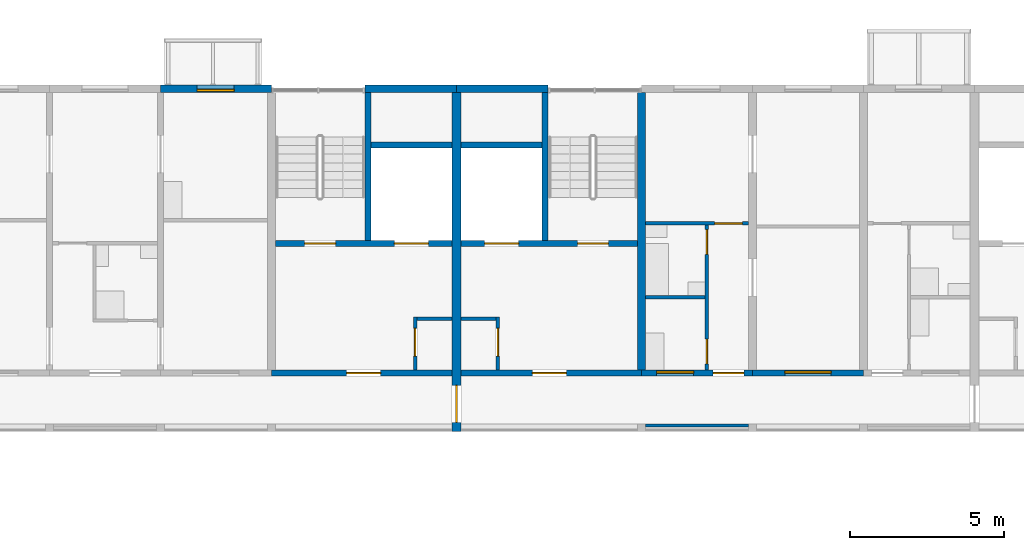
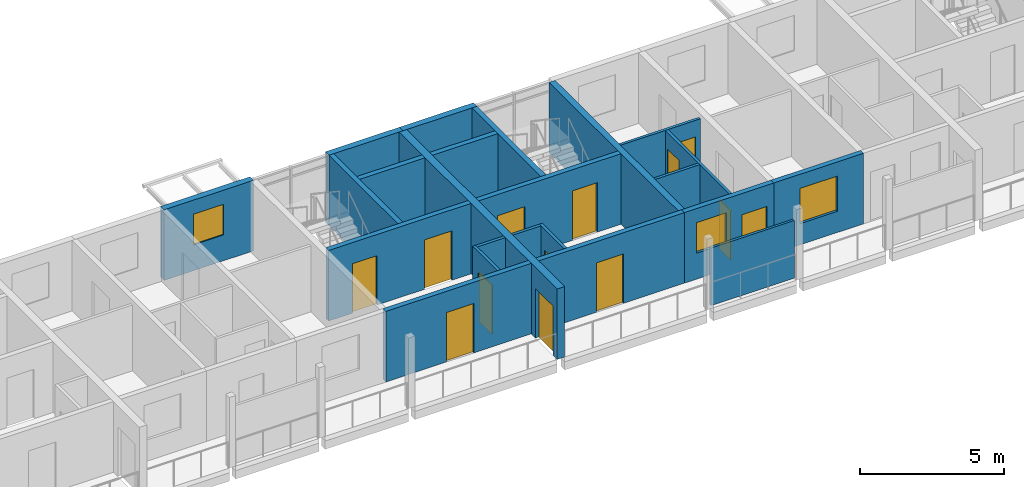
# One storey, part 68 of 115: 23 walls, 13 doors, 3 windows, 16 openings.
"""IFC4 building model written with IfcOpenShell, lengths in metres."""

from ifc_helpers import new_model, si_unit, direction, frame, frame_2d, origin, place, context, subcontext, project, spatial, rectangle, extrude, material, layer, layer_set, type_object, element, fill, save


model = new_model("IFC4")

# Units and contexts
model_context = context("Model", 3, precision=1e-05, world=origin(), true_north=direction((0.0, 1.0)))
body_context = subcontext(model_context, "Body", "Model", "MODEL_VIEW")
ifc_project = project(units=[si_unit("LENGTHUNIT", "METRE"), si_unit("AREAUNIT", "SQUARE_METRE"), si_unit("VOLUMEUNIT", "CUBIC_METRE"), si_unit("PLANEANGLEUNIT", "RADIAN"), si_unit("MASSUNIT", "GRAM", prefix="KILO")], contexts=[model_context])

# Site, building, storey
site_placement = place(None, origin())
site = spatial("IfcSite", under=ifc_project, at=site_placement, CompositionType="ELEMENT")
building_placement = place(site_placement, origin())
building = spatial("IfcBuilding", under=site, at=building_placement, Name="Ridgestep Commons", CompositionType="ELEMENT")
storey_placement = place(building_placement, frame((0.0, 0.0, 6.0)))
storey = spatial("IfcBuildingStorey", under=building, at=storey_placement, Name="L02", CompositionType="ELEMENT", Elevation=6.0)

# Wall
ifc_material_1 = material(Name="Concrete C30/37", Category="concrete")
ifc_layer_1 = layer(ifc_material_1, 0.25)
ifc_layer_set_1 = layer_set([ifc_layer_1], Name="Core cross wall 250")
wall_type_1 = type_object("IfcWallType", Name="Core cross wall 250", PredefinedType="SHEAR", material=ifc_layer_set_1)
wall_1_placement = place(storey_placement, frame((186.39990234375, 68.0, 0.0), z_axis=(0.0, 0.0, 1.0), x_axis=(0.0, 1.0, 0.0)))
element("IfcWall", 1, at=wall_1_placement, inside=storey, type_object=wall_type_1, Name="Cross wall C-02-1864", PredefinedType="SHEAR", context=body_context, shape_type="SweptSolid", body=[
    extrude(rectangle(XDim=9.0, YDim=0.25, at=frame_2d((4.5, 0.0))), origin(), (0.0, 0.0, 1.0), 3.0),
])

# Wall, opening, door
ifc_material_2 = material(Name="Concrete C30/37", Category="concrete")
ifc_layer_2 = layer(ifc_material_2, 0.199951171875)
ifc_layer_set_2 = layer_set([ifc_layer_2], Name="Core south wall 200")
wall_type_2 = type_object("IfcWallType", Name="Core south wall 200", PredefinedType="SHEAR", material=ifc_layer_set_2)
wall_2_placement = place(storey_placement, frame((174.39990234375, 67.89990234375, 0.0), z_axis=(0.0, 0.0, 1.0), x_axis=(1.0, 0.0, 0.0)))
wall_2 = element("IfcWall", 2, at=wall_2_placement, inside=storey, type_object=wall_type_2, Name="Core south wall C2C L02", PredefinedType="SHEAR", context=body_context, shape_type="SweptSolid", body=[
    extrude(rectangle(XDim=5.85009765625, YDim=0.199951171875, at=frame_2d((2.925048828125, 0.0))), origin(), (0.0, 0.0, 1.0), 3.0),
])
opening_1_placement = place(wall_2_placement, frame((2.4375, 0.0, 0.0)))
opening_1 = element("IfcOpeningElement", 3, at=opening_1_placement, cuts=wall_2, Name="Opening C2C/02/1", PredefinedType="OPENING", context=body_context, shape_type="SweptSolid", body=[
    extrude(rectangle(XDim=1.10009765625, YDim=2.10009765625, at=frame_2d((0.550048828125, 1.050048828125))), frame((0.0, 0.10986328125, 0.0), z_axis=(0.0, -1.0, 0.0), x_axis=(1.0, 0.0, 0.0)), (0.0, 0.0, 1.0), 0.219970703125),
])
ifc_material_3 = material(Name="Steel fire door", Category="steel")
door_type_1 = type_object("IfcDoorType", Name="Lobby door 1100 x 2100 FD60", OperationType="NOTDEFINED", PredefinedType="DOOR", material=ifc_material_3)
door_1_placement = place(opening_1_placement, origin())
door_1 = element("IfcDoor", 4, at=door_1_placement, inside=storey, type_object=door_type_1, Name="Lobby door C2C/02/1", OperationType="SINGLE_SWING_LEFT", OverallHeight=2.10009765625, OverallWidth=1.10009765625, PredefinedType="DOOR", context=body_context, shape_type="SweptSolid", body=[
    extrude(rectangle(XDim=1.10009765625, YDim=2.10009765625, at=frame_2d((0.550048828125, 1.050048828125))), frame((0.0, 0.02490234375, 0.0), z_axis=(0.0, -1.0, 0.0), x_axis=(1.0, 0.0, 0.0)), (0.0, 0.0, 1.0), 0.050048828125),
])
fill(opening_1, door_1)

wall_3_placement = place(storey_placement, frame((180.550048828125, 67.89990234375, 0.0), z_axis=(0.0, 0.0, 1.0), x_axis=(1.0, 0.0, 0.0)))
wall_3 = element("IfcWall", 5, at=wall_3_placement, inside=storey, type_object=wall_type_2, Name="Core south wall C3C L02", PredefinedType="SHEAR", context=body_context, shape_type="SweptSolid", body=[
    extrude(rectangle(XDim=5.849853515625, YDim=0.199951171875, at=frame_2d((2.9248046875, 0.0))), origin(), (0.0, 0.0, 1.0), 3.0),
])
opening_2_placement = place(wall_3_placement, frame((2.3125, 0.0, 0.0)))
opening_2 = element("IfcOpeningElement", 6, at=opening_2_placement, cuts=wall_3, Name="Opening C3C/02/1", PredefinedType="OPENING", context=body_context, shape_type="SweptSolid", body=[
    extrude(rectangle(XDim=1.10009765625, YDim=2.10009765625, at=frame_2d((0.550048828125, 1.050048828125))), frame((0.0, 0.10986328125, 0.0), z_axis=(0.0, -1.0, 0.0), x_axis=(1.0, 0.0, 0.0)), (0.0, 0.0, 1.0), 0.219970703125),
])
door_2_placement = place(opening_2_placement, origin())
door_2 = element("IfcDoor", 7, at=door_2_placement, inside=storey, type_object=door_type_1, Name="Lobby door C3C/02/1", OperationType="SINGLE_SWING_LEFT", OverallHeight=2.10009765625, OverallWidth=1.10009765625, PredefinedType="DOOR", context=body_context, shape_type="SweptSolid", body=[
    extrude(rectangle(XDim=1.10009765625, YDim=2.10009765625, at=frame_2d((0.550048828125, 1.050048828125))), frame((0.0, 0.02490234375, 0.0), z_axis=(0.0, -1.0, 0.0), x_axis=(1.0, 0.0, 0.0)), (0.0, 0.0, 1.0), 0.050048828125),
])
fill(opening_2, door_2)

ifc_material_4 = material(Name="Concrete C30/37", Category="concrete")
ifc_layer_3 = layer(ifc_material_4, 0.1201171875)
ifc_layer_set_3 = layer_set([ifc_layer_3], Name="Core wall 120")
wall_type_3 = type_object("IfcWallType", Name="Core wall 120", PredefinedType="SHEAR", material=ifc_layer_set_3)
wall_4_placement = place(storey_placement, frame((179.06005859375, 68.0, 0.0), z_axis=(0.0, 0.0, 1.0), x_axis=(0.0, 1.0, 0.0)))
wall_4 = element("IfcWall", 8, at=wall_4_placement, inside=storey, type_object=wall_type_3, Name="Core riser w wall C2C L02", PredefinedType="SHEAR", context=body_context, shape_type="SweptSolid", body=[
    extrude(rectangle(XDim=1.719970703125, YDim=0.1201171875, at=frame_2d((0.85986328125, 0.0))), origin(), (0.0, 0.0, 1.0), 3.0),
])
opening_3_placement = place(wall_4_placement, frame((0.449951171875, 0.0, 0.0)))
opening_3 = element("IfcOpeningElement", 9, at=opening_3_placement, cuts=wall_4, Name="Opening C2C/02/4", PredefinedType="OPENING", context=body_context, shape_type="SweptSolid", body=[
    extrude(rectangle(XDim=0.89990234375, YDim=2.10009765625, at=frame_2d((0.449951171875, 1.050048828125))), frame((0.0, 0.070068359375, 0.0), z_axis=(0.0, -1.0, 0.0), x_axis=(1.0, 0.0, 0.0)), (0.0, 0.0, 1.0), 0.14013671875),
])
ifc_material_5 = material(Name="Steel fire door", Category="steel")
door_type_2 = type_object("IfcDoorType", Name="Riser door 900 x 2100 FD60", OperationType="NOTDEFINED", PredefinedType="DOOR", material=ifc_material_5)
door_3_placement = place(opening_3_placement, origin())
door_3 = element("IfcDoor", 10, at=door_3_placement, inside=storey, type_object=door_type_2, Name="Riser door C2C/02/4", OperationType="SINGLE_SWING_LEFT", OverallHeight=2.10009765625, OverallWidth=0.89990234375, PredefinedType="DOOR", context=body_context, shape_type="SweptSolid", body=[
    extrude(rectangle(XDim=0.89990234375, YDim=2.10009765625, at=frame_2d((0.449951171875, 1.050048828125))), frame((0.0, 0.02490234375, 0.0), z_axis=(0.0, -1.0, 0.0), x_axis=(1.0, 0.0, 0.0)), (0.0, 0.0, 1.0), 0.050048828125),
])
fill(opening_3, door_3)

# Wall
wall_5_placement = place(storey_placement, frame((179.1201171875, 69.659912109375, 0.0), z_axis=(0.0, 0.0, 1.0), x_axis=(1.0, 0.0, 0.0)))
element("IfcWall", 11, at=wall_5_placement, inside=storey, type_object=wall_type_3, Name="Core riser n wall C2C L02", PredefinedType="SHEAR", context=body_context, shape_type="SweptSolid", body=[
    extrude(rectangle(XDim=1.1298828125, YDim=0.1201171875, at=frame_2d((0.56494140625, 0.0))), origin(), (0.0, 0.0, 1.0), 3.0),
])

# Wall, opening, door
wall_6_placement = place(storey_placement, frame((181.739990234375, 68.0, 0.0), z_axis=(0.0, 0.0, 1.0), x_axis=(0.0, 1.0, 0.0)))
wall_6 = element("IfcWall", 12, at=wall_6_placement, inside=storey, type_object=wall_type_3, Name="Core riser w wall C3C L02", PredefinedType="SHEAR", context=body_context, shape_type="SweptSolid", body=[
    extrude(rectangle(XDim=1.719970703125, YDim=0.1201171875, at=frame_2d((0.85986328125, 0.0))), origin(), (0.0, 0.0, 1.0), 3.0),
])
opening_4_placement = place(wall_6_placement, frame((0.449951171875, 0.0, 0.0)))
opening_4 = element("IfcOpeningElement", 13, at=opening_4_placement, cuts=wall_6, Name="Opening C3C/02/4", PredefinedType="OPENING", context=body_context, shape_type="SweptSolid", body=[
    extrude(rectangle(XDim=0.89990234375, YDim=2.10009765625, at=frame_2d((0.449951171875, 1.050048828125))), frame((0.0, 0.070068359375, 0.0), z_axis=(0.0, -1.0, 0.0), x_axis=(1.0, 0.0, 0.0)), (0.0, 0.0, 1.0), 0.14013671875),
])
door_4_placement = place(opening_4_placement, origin())
door_4 = element("IfcDoor", 14, at=door_4_placement, inside=storey, type_object=door_type_2, Name="Riser door C3C/02/4", OperationType="SINGLE_SWING_RIGHT", OverallHeight=2.10009765625, OverallWidth=0.89990234375, PredefinedType="DOOR", context=body_context, shape_type="SweptSolid", body=[
    extrude(rectangle(XDim=0.89990234375, YDim=2.10009765625, at=frame_2d((0.449951171875, 1.050048828125))), frame((0.0, 0.02490234375, 0.0), z_axis=(0.0, -1.0, 0.0), x_axis=(1.0, 0.0, 0.0)), (0.0, 0.0, 1.0), 0.050048828125),
])
fill(opening_4, door_4)

# Wall
wall_7_placement = place(storey_placement, frame((180.550048828125, 69.659912109375, 0.0), z_axis=(0.0, 0.0, 1.0), x_axis=(1.0, 0.0, 0.0)))
element("IfcWall", 15, at=wall_7_placement, inside=storey, type_object=wall_type_3, Name="Core riser n wall C3C L02", PredefinedType="SHEAR", context=body_context, shape_type="SweptSolid", body=[
    extrude(rectangle(XDim=1.1298828125, YDim=0.1201171875, at=frame_2d((0.56494140625, 0.0))), origin(), (0.0, 0.0, 1.0), 3.0),
])

# Wall, openings, doors
ifc_material_6 = material(Name="Concrete C30/37", Category="concrete")
ifc_layer_4 = layer(ifc_material_6, 0.199951171875)
ifc_layer_set_4 = layer_set([ifc_layer_4], Name="Core wall 200")
wall_type_4 = type_object("IfcWallType", Name="Core wall 200", PredefinedType="SHEAR", material=ifc_layer_set_4)
wall_8_placement = place(storey_placement, frame((174.52490234375, 72.10009765625, 0.0), z_axis=(0.0, 0.0, 1.0), x_axis=(1.0, 0.0, 0.0)))
wall_8 = element("IfcWall", 16, at=wall_8_placement, inside=storey, type_object=wall_type_4, Name="Core lobby wall C2C L02", PredefinedType="SHEAR", context=body_context, shape_type="SweptSolid", body=[
    extrude(rectangle(XDim=5.72509765625, YDim=0.199951171875, at=frame_2d((2.862548828125, 0.0))), origin(), (0.0, 0.0, 1.0), 3.0),
])
opening_5_placement = place(wall_8_placement, frame((0.949951171875, 0.0, 0.0)))
opening_5 = element("IfcOpeningElement", 17, at=opening_5_placement, cuts=wall_8, Name="Opening C2C/02/2", PredefinedType="OPENING", context=body_context, shape_type="SweptSolid", body=[
    extrude(rectangle(XDim=1.0, YDim=2.10009765625, at=frame_2d((0.5, 1.050048828125))), frame((0.0, 0.10986328125, 0.0), z_axis=(0.0, -1.0, 0.0), x_axis=(1.0, 0.0, 0.0)), (0.0, 0.0, 1.0), 0.219970703125),
])
opening_6_placement = place(wall_8_placement, frame((3.862548828125, 0.0, 0.0)))
opening_6 = element("IfcOpeningElement", 18, at=opening_6_placement, cuts=wall_8, Name="Opening C2C/02/3", PredefinedType="OPENING", context=body_context, shape_type="SweptSolid", body=[
    extrude(rectangle(XDim=1.10009765625, YDim=2.10009765625, at=frame_2d((0.550048828125, 1.050048828125))), frame((0.0, 0.10986328125, 0.0), z_axis=(0.0, -1.0, 0.0), x_axis=(1.0, 0.0, 0.0)), (0.0, 0.0, 1.0), 0.219970703125),
])
ifc_material_7 = material(Name="Stainless steel", Category="steel")
door_type_3 = type_object("IfcDoorType", Name="Lift landing door 1100 x 2100 FD60", OperationType="DOUBLE_DOOR_SLIDING", PredefinedType="DOOR", material=ifc_material_7)
door_5_placement = place(opening_6_placement, origin())
door_5 = element("IfcDoor", 19, at=door_5_placement, inside=storey, type_object=door_type_3, Name="Landing door LD C2C L02", OperationType="DOUBLE_DOOR_SLIDING", OverallHeight=2.10009765625, OverallWidth=1.10009765625, PredefinedType="DOOR", context=body_context, shape_type="SweptSolid", body=[
    extrude(rectangle(XDim=1.10009765625, YDim=2.10009765625, at=frame_2d((0.550048828125, 1.050048828125))), frame((0.0, 0.02490234375, 0.0), z_axis=(0.0, -1.0, 0.0), x_axis=(1.0, 0.0, 0.0)), (0.0, 0.0, 1.0), 0.050048828125),
])
fill(opening_6, door_5)
ifc_material_8 = material(Name="Steel fire door", Category="steel")
door_type_4 = type_object("IfcDoorType", Name="Stair door 1000 x 2100 FD60", OperationType="NOTDEFINED", PredefinedType="DOOR", material=ifc_material_8)
door_6_placement = place(opening_5_placement, origin())
door_6 = element("IfcDoor", 20, at=door_6_placement, inside=storey, type_object=door_type_4, Name="Stair door C2C/02/2", OperationType="SINGLE_SWING_RIGHT", OverallHeight=2.10009765625, OverallWidth=1.0, PredefinedType="DOOR", context=body_context, shape_type="SweptSolid", body=[
    extrude(rectangle(XDim=1.0, YDim=2.10009765625, at=frame_2d((0.5, 1.050048828125))), frame((0.0, 0.02490234375, 0.0), z_axis=(0.0, -1.0, 0.0), x_axis=(1.0, 0.0, 0.0)), (0.0, 0.0, 1.0), 0.050048828125),
])
fill(opening_5, door_6)

# Walls
wall_9_placement = place(storey_placement, frame((177.52490234375, 72.199951171875, 0.0), z_axis=(0.0, 0.0, 1.0), x_axis=(0.0, 1.0, 0.0)))
element("IfcWall", 21, at=wall_9_placement, inside=storey, type_object=wall_type_4, Name="Core stair wall C2C L02", PredefinedType="SHEAR", context=body_context, shape_type="SweptSolid", body=[
    extrude(rectangle(XDim=4.800048828125, YDim=0.199951171875, at=frame_2d((2.39990234375, 0.0))), origin(), (0.0, 0.0, 1.0), 3.0),
])
wall_10_placement = place(storey_placement, frame((177.625, 75.300048828125, 0.0), z_axis=(0.0, 0.0, 1.0), x_axis=(1.0, 0.0, 0.0)))
element("IfcWall", 22, at=wall_10_placement, inside=storey, type_object=wall_type_4, Name="Core duct wall C2C L02", PredefinedType="SHEAR", context=body_context, shape_type="SweptSolid", body=[
    extrude(rectangle(XDim=2.625, YDim=0.199951171875, at=frame_2d((1.3125, 0.0))), origin(), (0.0, 0.0, 1.0), 3.0),
])

# Wall, openings, doors
wall_11_placement = place(storey_placement, frame((180.550048828125, 72.10009765625, 0.0), z_axis=(0.0, 0.0, 1.0), x_axis=(1.0, 0.0, 0.0)))
wall_11 = element("IfcWall", 23, at=wall_11_placement, inside=storey, type_object=wall_type_4, Name="Core lobby wall C3C L02", PredefinedType="SHEAR", context=body_context, shape_type="SweptSolid", body=[
    extrude(rectangle(XDim=5.724853515625, YDim=0.199951171875, at=frame_2d((2.8623046875, 0.0))), origin(), (0.0, 0.0, 1.0), 3.0),
])
opening_7_placement = place(wall_11_placement, frame((3.77490234375, 0.0, 0.0)))
opening_7 = element("IfcOpeningElement", 24, at=opening_7_placement, cuts=wall_11, Name="Opening C3C/02/2", PredefinedType="OPENING", context=body_context, shape_type="SweptSolid", body=[
    extrude(rectangle(XDim=1.0, YDim=2.10009765625, at=frame_2d((0.5, 1.050048828125))), frame((0.0, 0.10986328125, 0.0), z_axis=(0.0, -1.0, 0.0), x_axis=(1.0, 0.0, 0.0)), (0.0, 0.0, 1.0), 0.219970703125),
])
opening_8_placement = place(wall_11_placement, frame((0.762451171875, 0.0, 0.0)))
opening_8 = element("IfcOpeningElement", 25, at=opening_8_placement, cuts=wall_11, Name="Opening C3C/02/3", PredefinedType="OPENING", context=body_context, shape_type="SweptSolid", body=[
    extrude(rectangle(XDim=1.10009765625, YDim=2.10009765625, at=frame_2d((0.550048828125, 1.050048828125))), frame((0.0, 0.10986328125, 0.0), z_axis=(0.0, -1.0, 0.0), x_axis=(1.0, 0.0, 0.0)), (0.0, 0.0, 1.0), 0.219970703125),
])
door_7_placement = place(opening_8_placement, origin())
door_7 = element("IfcDoor", 26, at=door_7_placement, inside=storey, type_object=door_type_3, Name="Landing door LD C3C L02", OperationType="DOUBLE_DOOR_SLIDING", OverallHeight=2.10009765625, OverallWidth=1.10009765625, PredefinedType="DOOR", context=body_context, shape_type="SweptSolid", body=[
    extrude(rectangle(XDim=1.10009765625, YDim=2.10009765625, at=frame_2d((0.550048828125, 1.050048828125))), frame((0.0, 0.02490234375, 0.0), z_axis=(0.0, -1.0, 0.0), x_axis=(1.0, 0.0, 0.0)), (0.0, 0.0, 1.0), 0.050048828125),
])
fill(opening_8, door_7)
door_8_placement = place(opening_7_placement, origin())
door_8 = element("IfcDoor", 27, at=door_8_placement, inside=storey, type_object=door_type_4, Name="Stair door C3C/02/2", OperationType="SINGLE_SWING_RIGHT", OverallHeight=2.10009765625, OverallWidth=1.0, PredefinedType="DOOR", context=body_context, shape_type="SweptSolid", body=[
    extrude(rectangle(XDim=1.0, YDim=2.10009765625, at=frame_2d((0.5, 1.050048828125))), frame((0.0, 0.02490234375, 0.0), z_axis=(0.0, -1.0, 0.0), x_axis=(1.0, 0.0, 0.0)), (0.0, 0.0, 1.0), 0.050048828125),
])
fill(opening_7, door_8)

# Walls
wall_12_placement = place(storey_placement, frame((183.27490234375, 72.199951171875, 0.0), z_axis=(0.0, 0.0, 1.0), x_axis=(0.0, 1.0, 0.0)))
element("IfcWall", 28, at=wall_12_placement, inside=storey, type_object=wall_type_4, Name="Core stair wall C3C L02", PredefinedType="SHEAR", context=body_context, shape_type="SweptSolid", body=[
    extrude(rectangle(XDim=4.800048828125, YDim=0.199951171875, at=frame_2d((2.39990234375, 0.0))), origin(), (0.0, 0.0, 1.0), 3.0),
])
wall_13_placement = place(storey_placement, frame((180.550048828125, 75.300048828125, 0.0), z_axis=(0.0, 0.0, 1.0), x_axis=(1.0, 0.0, 0.0)))
element("IfcWall", 29, at=wall_13_placement, inside=storey, type_object=wall_type_4, Name="Core duct wall C3C L02", PredefinedType="SHEAR", context=body_context, shape_type="SweptSolid", body=[
    extrude(rectangle(XDim=2.625, YDim=0.199951171875, at=frame_2d((1.3125, 0.0))), origin(), (0.0, 0.0, 1.0), 3.0),
])

# Wall, opening, door
ifc_material_9 = material(Name="Precast concrete C40/50", Category="concrete")
ifc_layer_5 = layer(ifc_material_9, 0.300048828125)
ifc_layer_set_5 = layer_set([ifc_layer_5], Name="Division wall 300")
wall_type_5 = type_object("IfcWallType", Name="Division wall 300", PredefinedType="SHEAR", material=ifc_layer_set_5)
wall_14_placement = place(storey_placement, frame((180.39990234375, 66.0, 0.0), z_axis=(0.0, 0.0, 1.0), x_axis=(0.0, 1.0, 0.0)))
wall_14 = element("IfcWall", 30, at=wall_14_placement, inside=storey, type_object=wall_type_5, Name="Cross wall C-02-1804", PredefinedType="SHEAR", context=body_context, shape_type="SweptSolid", body=[
    extrude(rectangle(XDim=11.0, YDim=0.300048828125, at=frame_2d((5.5, 0.0))), origin(), (0.0, 0.0, 1.0), 3.0),
])
opening_9_placement = place(wall_14_placement, frame((0.300048828125, 0.0, 0.0)))
opening_9 = element("IfcOpeningElement", 31, at=opening_9_placement, cuts=wall_14, Name="Opening C/02/G1804", PredefinedType="OPENING", context=body_context, shape_type="SweptSolid", body=[
    extrude(rectangle(XDim=1.199951171875, YDim=2.10009765625, at=frame_2d((0.60009765625, 1.050048828125))), frame((0.0, 0.159912109375, 0.0), z_axis=(0.0, -1.0, 0.0), x_axis=(1.0, 0.0, 0.0)), (0.0, 0.0, 1.0), 0.320068359375),
])
ifc_material_10 = material(Name="Steel fire door", Category="steel")
door_type_5 = type_object("IfcDoorType", Name="Division fire door 1200 x 2100 EI 240", OperationType="DOUBLE_DOOR_SINGLE_SWING", PredefinedType="DOOR", material=ifc_material_10)
door_9_placement = place(opening_9_placement, origin())
door_9 = element("IfcDoor", 32, at=door_9_placement, inside=storey, type_object=door_type_5, Name="Division fire door C/02/G1804", OperationType="DOUBLE_DOOR_SINGLE_SWING", OverallHeight=2.10009765625, OverallWidth=1.199951171875, PredefinedType="DOOR", context=body_context, shape_type="SweptSolid", body=[
    extrude(rectangle(XDim=1.199951171875, YDim=2.10009765625, at=frame_2d((0.60009765625, 1.050048828125))), frame((0.0, 0.02490234375, 0.0), z_axis=(0.0, -1.0, 0.0), x_axis=(1.0, 0.0, 0.0)), (0.0, 0.0, 1.0), 0.050048828125),
])
fill(opening_9, door_9)

# Wall, opening, window
ifc_material_11 = material(Name="Precast concrete C40/50", Category="concrete")
ifc_layer_6 = layer(ifc_material_11, 0.25)
ifc_layer_set_6 = layer_set([ifc_layer_6], Name="North facade panel 250")
wall_type_6 = type_object("IfcWallType", Name="North facade panel 250", PredefinedType="SOLIDWALL", material=ifc_layer_set_6)
wall_15_placement = place(storey_placement, frame((170.800048828125, 77.125, 0.0), z_axis=(0.0, 0.0, 1.0), x_axis=(1.0, 0.0, 0.0)))
wall_15 = element("IfcWall", 33, at=wall_15_placement, inside=storey, type_object=wall_type_6, Name="North panel C2T3 L02", PredefinedType="SOLIDWALL", context=body_context, shape_type="SweptSolid", body=[
    extrude(rectangle(XDim=3.599853515625, YDim=0.25, at=frame_2d((1.7998046875, 0.0))), origin(), (0.0, 0.0, 1.0), 3.0),
])
opening_10_placement = place(wall_15_placement, frame((1.1875, 0.0, 1.10009765625)))
opening_10 = element("IfcOpeningElement", 34, at=opening_10_placement, cuts=wall_15, Name="Opening W08", PredefinedType="OPENING", context=body_context, shape_type="SweptSolid", body=[
    extrude(rectangle(XDim=1.199951171875, YDim=1.300048828125, at=frame_2d((0.60009765625, 0.64990234375))), frame((0.0, 0.135009765625, 0.0), z_axis=(0.0, -1.0, 0.0), x_axis=(1.0, 0.0, 0.0)), (0.0, 0.0, 1.0), 0.27001953125),
])
ifc_material_12 = material(Name="Aluminium 6063-T6 and glass", Category="aluminium")
window_type_1 = type_object("IfcWindowType", Name="Flat window 1200 x 1300", PartitioningType="SINGLE_PANEL", PredefinedType="WINDOW", material=ifc_material_12)
window_1_placement = place(opening_10_placement, origin())
window_1 = element("IfcWindow", 35, at=window_1_placement, inside=storey, type_object=window_type_1, Name="Window C2-02a 4", OverallHeight=1.300048828125, OverallWidth=1.199951171875, PartitioningType="SINGLE_PANEL", PredefinedType="WINDOW", context=body_context, shape_type="SweptSolid", body=[
    extrude(rectangle(XDim=1.199951171875, YDim=1.300048828125, at=frame_2d((0.60009765625, 0.64990234375))), frame((0.0, -0.02490234375, 0.0), z_axis=(0.0, -1.0, 0.0), x_axis=(1.0, 0.0, 0.0)), (0.0, 0.0, 1.0), 0.06005859375),
])
fill(opening_10, window_1)

# Walls
wall_16_placement = place(storey_placement, frame((177.425048828125, 77.125, 0.0), z_axis=(0.0, 0.0, 1.0), x_axis=(1.0, 0.0, 0.0)))
element("IfcWall", 36, at=wall_16_placement, inside=storey, type_object=wall_type_6, Name="North panel C2C L02", PredefinedType="SOLIDWALL", context=body_context, shape_type="SweptSolid", body=[
    extrude(rectangle(XDim=2.974853515625, YDim=0.25, at=frame_2d((1.4873046875, 0.0))), origin(), (0.0, 0.0, 1.0), 3.0),
])
wall_17_placement = place(storey_placement, frame((180.39990234375, 77.125, 0.0), z_axis=(0.0, 0.0, 1.0), x_axis=(1.0, 0.0, 0.0)))
element("IfcWall", 37, at=wall_17_placement, inside=storey, type_object=wall_type_6, Name="North panel C3C L02", PredefinedType="SOLIDWALL", context=body_context, shape_type="SweptSolid", body=[
    extrude(rectangle(XDim=2.97509765625, YDim=0.25, at=frame_2d((1.487548828125, 0.0))), origin(), (0.0, 0.0, 1.0), 3.0),
])
ifc_material_13 = material(Name="Common brick 110 mm", Category="masonry")
ifc_layer_7 = layer(ifc_material_13, 0.110107421875)
ifc_layer_set_7 = layer_set([ifc_layer_7], Name="Partition 110")
wall_type_7 = type_object("IfcWallType", Name="Partition 110", PredefinedType="PARTITIONING", material=ifc_layer_set_7)
wall_18_placement = place(storey_placement, frame((186.52490234375, 70.35498046875, 0.0), z_axis=(0.0, 0.0, 1.0), x_axis=(1.0, 0.0, 0.0)))
element("IfcWall", 38, at=wall_18_placement, inside=storey, type_object=wall_type_7, Name="Partition C3-02b", PredefinedType="PARTITIONING", context=body_context, shape_type="SweptSolid", body=[
    extrude(rectangle(XDim=1.940185546875, YDim=0.110107421875, at=frame_2d((0.97021484375, 0.0))), origin(), (0.0, 0.0, 1.0), 2.800048828125),
])

# Wall, openings, doors
wall_19_placement = place(storey_placement, frame((188.52001953125, 68.0, 0.0), z_axis=(0.0, 0.0, 1.0), x_axis=(0.0, 1.0, 0.0)))
wall_19 = element("IfcWall", 39, at=wall_19_placement, inside=storey, type_object=wall_type_7, Name="Partition C3-02b", PredefinedType="PARTITIONING", context=body_context, shape_type="SweptSolid", body=[
    extrude(rectangle(XDim=4.699951171875, YDim=0.110107421875, at=frame_2d((2.35009765625, 0.0))), origin(), (0.0, 0.0, 1.0), 2.800048828125),
])
opening_11_placement = place(wall_19_placement, frame((0.199951171875, 0.0, 0.0)))
opening_11 = element("IfcOpeningElement", 40, at=opening_11_placement, cuts=wall_19, Name="Opening C3-02b/2", PredefinedType="OPENING", context=body_context, shape_type="SweptSolid", body=[
    extrude(rectangle(XDim=0.800048828125, YDim=2.10009765625, at=frame_2d((0.39990234375, 1.050048828125))), frame((0.0, 0.06494140625, 0.0), z_axis=(0.0, -1.0, 0.0), x_axis=(1.0, 0.0, 0.0)), (0.0, 0.0, 1.0), 0.130126953125),
])
opening_12_placement = place(wall_19_placement, frame((3.75, 0.0, 0.0)))
opening_12 = element("IfcOpeningElement", 41, at=opening_12_placement, cuts=wall_19, Name="Opening C3-02b/3", PredefinedType="OPENING", context=body_context, shape_type="SweptSolid", body=[
    extrude(rectangle(XDim=0.800048828125, YDim=2.10009765625, at=frame_2d((0.39990234375, 1.050048828125))), frame((0.0, 0.06494140625, 0.0), z_axis=(0.0, -1.0, 0.0), x_axis=(1.0, 0.0, 0.0)), (0.0, 0.0, 1.0), 0.130126953125),
])
ifc_material_14 = material(Name="Timber door leaf", Category="wood")
door_type_6 = type_object("IfcDoorType", Name="Internal door 800 x 2100", OperationType="NOTDEFINED", PredefinedType="DOOR", material=ifc_material_14)
door_10_placement = place(opening_11_placement, origin())
door_10 = element("IfcDoor", 42, at=door_10_placement, inside=storey, type_object=door_type_6, Name="Internal door C3-02b/2", OperationType="SINGLE_SWING_LEFT", OverallHeight=2.10009765625, OverallWidth=0.800048828125, PredefinedType="DOOR", context=body_context, shape_type="SweptSolid", body=[
    extrude(rectangle(XDim=0.800048828125, YDim=2.10009765625, at=frame_2d((0.39990234375, 1.050048828125))), frame((0.0, 0.02490234375, 0.0), z_axis=(0.0, -1.0, 0.0), x_axis=(1.0, 0.0, 0.0)), (0.0, 0.0, 1.0), 0.050048828125),
])
fill(opening_11, door_10)
door_11_placement = place(opening_12_placement, origin())
door_11 = element("IfcDoor", 43, at=door_11_placement, inside=storey, type_object=door_type_6, Name="Internal door C3-02b/3", OperationType="SINGLE_SWING_RIGHT", OverallHeight=2.10009765625, OverallWidth=0.800048828125, PredefinedType="DOOR", context=body_context, shape_type="SweptSolid", body=[
    extrude(rectangle(XDim=0.800048828125, YDim=2.10009765625, at=frame_2d((0.39990234375, 1.050048828125))), frame((0.0, 0.02490234375, 0.0), z_axis=(0.0, -1.0, 0.0), x_axis=(1.0, 0.0, 0.0)), (0.0, 0.0, 1.0), 0.050048828125),
])
fill(opening_12, door_11)

# Wall, opening, door
wall_20_placement = place(storey_placement, frame((186.52490234375, 72.7548828125, 0.0), z_axis=(0.0, 0.0, 1.0), x_axis=(1.0, 0.0, 0.0)))
wall_20 = element("IfcWall", 44, at=wall_20_placement, inside=storey, type_object=wall_type_7, Name="Partition C3-02b", PredefinedType="PARTITIONING", context=body_context, shape_type="SweptSolid", body=[
    extrude(rectangle(XDim=3.35009765625, YDim=0.110107421875, at=frame_2d((1.675048828125, 0.0))), origin(), (0.0, 0.0, 1.0), 2.800048828125),
])
opening_13_placement = place(wall_20_placement, frame((2.25, 0.0, 0.0)))
opening_13 = element("IfcOpeningElement", 45, at=opening_13_placement, cuts=wall_20, Name="Opening C3-02b/4", PredefinedType="OPENING", context=body_context, shape_type="SweptSolid", body=[
    extrude(rectangle(XDim=0.89990234375, YDim=2.10009765625, at=frame_2d((0.449951171875, 1.050048828125))), frame((0.0, 0.06494140625, 0.0), z_axis=(0.0, -1.0, 0.0), x_axis=(1.0, 0.0, 0.0)), (0.0, 0.0, 1.0), 0.130126953125),
])
ifc_material_15 = material(Name="Timber door leaf", Category="wood")
door_type_7 = type_object("IfcDoorType", Name="Internal door 900 x 2100", OperationType="NOTDEFINED", PredefinedType="DOOR", material=ifc_material_15)
door_12_placement = place(opening_13_placement, origin())
door_12 = element("IfcDoor", 46, at=door_12_placement, inside=storey, type_object=door_type_7, Name="Internal door C3-02b/4", OperationType="SINGLE_SWING_LEFT", OverallHeight=2.10009765625, OverallWidth=0.89990234375, PredefinedType="DOOR", context=body_context, shape_type="SweptSolid", body=[
    extrude(rectangle(XDim=0.89990234375, YDim=2.10009765625, at=frame_2d((0.449951171875, 1.050048828125))), frame((0.0, 0.02490234375, 0.0), z_axis=(0.0, -1.0, 0.0), x_axis=(1.0, 0.0, 0.0)), (0.0, 0.0, 1.0), 0.050048828125),
])
fill(opening_13, door_12)

# Wall
ifc_material_16 = material(Name="Precast concrete C30/37", Category="concrete")
ifc_layer_8 = layer(ifc_material_16, 0.10009765625)
ifc_layer_set_8 = layer_set([ifc_layer_8], Name="Perforated gallery screen 3350 x 2450 x 100")
wall_type_8 = type_object("IfcWallType", Name="Perforated gallery screen 3350 x 2450 x 100", PredefinedType="SOLIDWALL", material=ifc_layer_set_8)
wall_21_placement = place(storey_placement, frame((186.52490234375, 66.199951171875, 0.0), z_axis=(0.0, 0.0, 1.0), x_axis=(1.0, 0.0, 0.0)))
element("IfcWall", 47, at=wall_21_placement, inside=storey, type_object=wall_type_8, Name="Gallery screen C3T3 02", PredefinedType="SOLIDWALL", context=body_context, shape_type="SweptSolid", body=[
    extrude(rectangle(XDim=3.35009765625, YDim=0.10009765625, at=frame_2d((1.675048828125, 0.0))), origin(), (0.0, 0.0, 1.0), 2.449951171875),
])

# Wall, openings, door, window
ifc_material_17 = material(Name="Precast concrete C40/50", Category="concrete")
ifc_layer_9 = layer(ifc_material_17, 0.199951171875)
ifc_layer_set_9 = layer_set([ifc_layer_9], Name="South facade panel 200")
wall_type_9 = type_object("IfcWallType", Name="South facade panel 200", PredefinedType="SOLIDWALL", material=ifc_layer_set_9)
wall_22_placement = place(storey_placement, frame((186.39990234375, 67.89990234375, 0.0), z_axis=(0.0, 0.0, 1.0), x_axis=(1.0, 0.0, 0.0)))
wall_22 = element("IfcWall", 48, at=wall_22_placement, inside=storey, type_object=wall_type_9, Name="South panel C3T3 L02", PredefinedType="SOLIDWALL", context=body_context, shape_type="SweptSolid", body=[
    extrude(rectangle(XDim=3.60009765625, YDim=0.199951171875, at=frame_2d((1.800048828125, 0.0))), origin(), (0.0, 0.0, 1.0), 3.0),
])
opening_14_placement = place(wall_22_placement, frame((0.4951171875, 0.0, 1.10009765625)))
opening_14 = element("IfcOpeningElement", 49, at=opening_14_placement, cuts=wall_22, Name="Opening W08", PredefinedType="OPENING", context=body_context, shape_type="SweptSolid", body=[
    extrude(rectangle(XDim=1.199951171875, YDim=1.300048828125, at=frame_2d((0.60009765625, 0.64990234375))), frame((0.0, 0.10986328125, 0.0), z_axis=(0.0, -1.0, 0.0), x_axis=(1.0, 0.0, 0.0)), (0.0, 0.0, 1.0), 0.219970703125),
])
opening_15_placement = place(wall_22_placement, frame((2.324951171875, 0.0, 0.0)))
opening_15 = element("IfcOpeningElement", 50, at=opening_15_placement, cuts=wall_22, Name="Opening C3-02b/1", PredefinedType="OPENING", context=body_context, shape_type="SweptSolid", body=[
    extrude(rectangle(XDim=1.0, YDim=2.10009765625, at=frame_2d((0.5, 1.050048828125))), frame((0.0, 0.10986328125, 0.0), z_axis=(0.0, -1.0, 0.0), x_axis=(1.0, 0.0, 0.0)), (0.0, 0.0, 1.0), 0.219970703125),
])
ifc_material_18 = material(Name="Timber door leaf", Category="wood")
door_type_8 = type_object("IfcDoorType", Name="Flat entrance door 1000 x 2100 FD30S", OperationType="NOTDEFINED", PredefinedType="DOOR", material=ifc_material_18)
door_13_placement = place(opening_15_placement, origin())
door_13 = element("IfcDoor", 51, at=door_13_placement, inside=storey, type_object=door_type_8, Name="Flat entrance door C3-02b/1", OperationType="SINGLE_SWING_RIGHT", OverallHeight=2.10009765625, OverallWidth=1.0, PredefinedType="DOOR", context=body_context, shape_type="SweptSolid", body=[
    extrude(rectangle(XDim=1.0, YDim=2.10009765625, at=frame_2d((0.5, 1.050048828125))), frame((0.0, 0.02490234375, 0.0), z_axis=(0.0, -1.0, 0.0), x_axis=(1.0, 0.0, 0.0)), (0.0, 0.0, 1.0), 0.050048828125),
])
fill(opening_15, door_13)
window_2_placement = place(opening_14_placement, origin())
window_2 = element("IfcWindow", 52, at=window_2_placement, inside=storey, type_object=window_type_1, Name="Window C3-02b 3", OverallHeight=1.300048828125, OverallWidth=1.199951171875, PartitioningType="SINGLE_PANEL", PredefinedType="WINDOW", context=body_context, shape_type="SweptSolid", body=[
    extrude(rectangle(XDim=1.199951171875, YDim=1.300048828125, at=frame_2d((0.60009765625, 0.64990234375))), frame((0.0, 0.06005859375, 0.0), z_axis=(0.0, -1.0, 0.0), x_axis=(1.0, 0.0, 0.0)), (0.0, 0.0, 1.0), 0.06005859375),
])
fill(opening_14, window_2)

# Wall, opening, window
wall_23_placement = place(storey_placement, frame((190.0, 67.89990234375, 0.0), z_axis=(0.0, 0.0, 1.0), x_axis=(1.0, 0.0, 0.0)))
wall_23 = element("IfcWall", 53, at=wall_23_placement, inside=storey, type_object=wall_type_9, Name="South panel C3T2 L02", PredefinedType="SOLIDWALL", context=body_context, shape_type="SweptSolid", body=[
    extrude(rectangle(XDim=3.60009765625, YDim=0.199951171875, at=frame_2d((1.800048828125, 0.0))), origin(), (0.0, 0.0, 1.0), 3.0),
])
opening_16_placement = place(wall_23_placement, frame((1.050048828125, 0.0, 0.89990234375)))
opening_16 = element("IfcOpeningElement", 54, at=opening_16_placement, cuts=wall_23, Name="Opening W16", PredefinedType="OPENING", context=body_context, shape_type="SweptSolid", body=[
    extrude(rectangle(XDim=1.5, YDim=1.5, at=frame_2d((0.75, 0.75))), frame((0.0, 0.10986328125, 0.0), z_axis=(0.0, -1.0, 0.0), x_axis=(1.0, 0.0, 0.0)), (0.0, 0.0, 1.0), 0.219970703125),
])
ifc_material_19 = material(Name="Aluminium 6063-T6 and glass", Category="aluminium")
window_type_2 = type_object("IfcWindowType", Name="Flat window 1500 x 1500", PartitioningType="DOUBLE_PANEL_VERTICAL", PredefinedType="WINDOW", material=ifc_material_19)
window_3_placement = place(opening_16_placement, origin())
window_3 = element("IfcWindow", 55, at=window_3_placement, inside=storey, type_object=window_type_2, Name="Window C3-02b 1", OverallHeight=1.5, OverallWidth=1.5, PartitioningType="SINGLE_PANEL", PredefinedType="WINDOW", context=body_context, shape_type="SweptSolid", body=[
    extrude(rectangle(XDim=1.5, YDim=1.5, at=frame_2d((0.75, 0.75))), frame((0.0, 0.06005859375, 0.0), z_axis=(0.0, -1.0, 0.0), x_axis=(1.0, 0.0, 0.0)), (0.0, 0.0, 1.0), 0.06005859375),
])
fill(opening_16, window_3)

save(model, "model.ifc")
